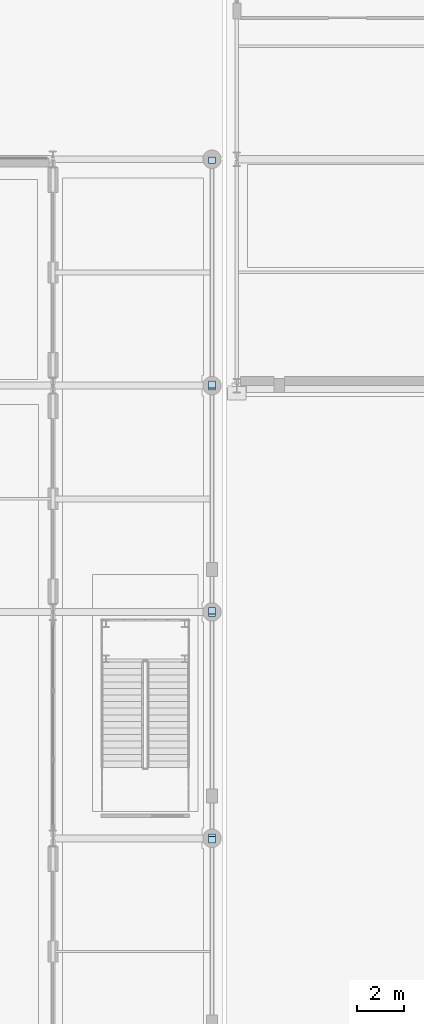
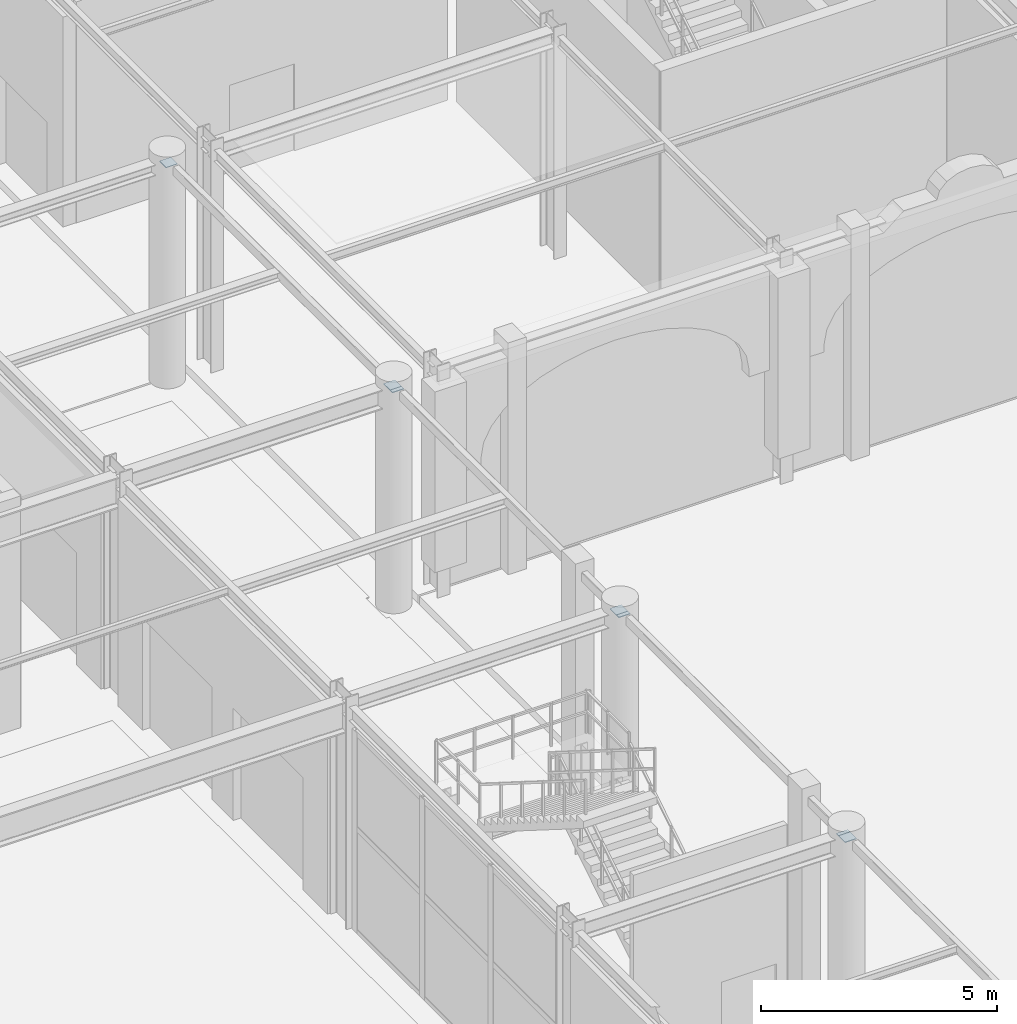
# One storey, part 55 of 113: 7 plates.
"""IFC4 building model written with IfcOpenShell, lengths in metres."""

from ifc_helpers import new_model, si_unit, direction, frame, origin, origin_2d, place, context, subcontext, project, spatial, rectangle, extrude, material, layer, layer_set, type_object, element, save


model = new_model("IFC4")

# Units and contexts
model_context = context("Model", 3, precision=1e-05, world=origin(), true_north=direction((0.0, 1.0)))
body_context = subcontext(model_context, "Body", "Model", "MODEL_VIEW")
ifc_project = project(units=[si_unit("LENGTHUNIT", "METRE"), si_unit("AREAUNIT", "SQUARE_METRE"), si_unit("VOLUMEUNIT", "CUBIC_METRE"), si_unit("PLANEANGLEUNIT", "RADIAN"), si_unit("MASSUNIT", "GRAM", prefix="KILO")], contexts=[model_context])

# Site, building, storey
site_placement = place(None, origin())
site = spatial("IfcSite", under=ifc_project, at=site_placement, CompositionType="ELEMENT")
building_placement = place(site_placement, origin())
building = spatial("IfcBuilding", under=site, at=building_placement, Name="Myrtia Square Station", CompositionType="ELEMENT")
storey_placement = place(building_placement, origin())
storey = spatial("IfcBuildingStorey", under=building, at=storey_placement, Name="L00", CompositionType="ELEMENT", Elevation=0.0)

# Plates
ifc_material = material(Name="Steel S355", Category="steel")
ifc_layer = layer(ifc_material, 0.01611328125, Name="Steel S355")
ifc_layer_set = layer_set([ifc_layer], Name="Steel S355")
plate_type = type_object("IfcPlateType", Name="PLT-GUS16", PredefinedType="USERDEFINED", material=ifc_layer_set)
for number, where, z_axis, x_axis, name in (
    (1, (116.550048828125, 67.14990234375, 5.60693359375), (0.0, 0.0, 1.0), (0.0, 1.0, 0.0), "Truss node gusset plate SPNY-L00-0083-2"),
    (2, (116.550048828125, 67.25, 5.60693359375), (0.0, 0.0, 1.0), (0.0, 1.0, 0.0), "Truss node gusset plate SPNY-L00-0084-1"),
    (3, (116.550048828125, 76.75, 5.60693359375), (0.0, 0.0, 1.0), (0.0, 1.0, 0.0), "Truss node gusset plate SPNY-L00-0084-2"),
    (4, (116.550048828125, 76.85009765625, 5.60693359375), (0.0, 0.0, 1.0), (0.0, 1.0, 0.0), "Truss node gusset plate SPNY-L00-0085-1"),
    (5, (116.550048828125, 86.35009765625, 5.60693359375), (0.0, 0.0, 1.0), (0.0, 1.0, 0.0), "Truss node gusset plate SPNY-L00-0085-2"),
    (6, (116.550048828125, 86.449951171875, 5.60693359375), (0.0, 0.0, 1.0), (0.0, 1.0, 0.0), "Truss node gusset plate SPNY-L00-0086-1"),
    (7, (116.550048828125, 95.949951171875, 5.60693359375), (0.0, 0.0, 1.0), (0.0, 1.0, 0.0), "Truss node gusset plate SPNY-L00-0086-2"),
):
    element("IfcPlate", number, at=place(storey_placement, frame(where, z_axis=z_axis, x_axis=x_axis)), inside=storey, type_object=plate_type, Name=name, ObjectType="GUSSET PLATE", PredefinedType="USERDEFINED", context=body_context, shape_type="SweptSolid", body=[
        extrude(rectangle(XDim=0.280029296875, YDim=0.280029296875, at=origin_2d()), origin(), (0.0, 0.0, 1.0), 0.01611328125),
    ])

save(model, "model.ifc")
